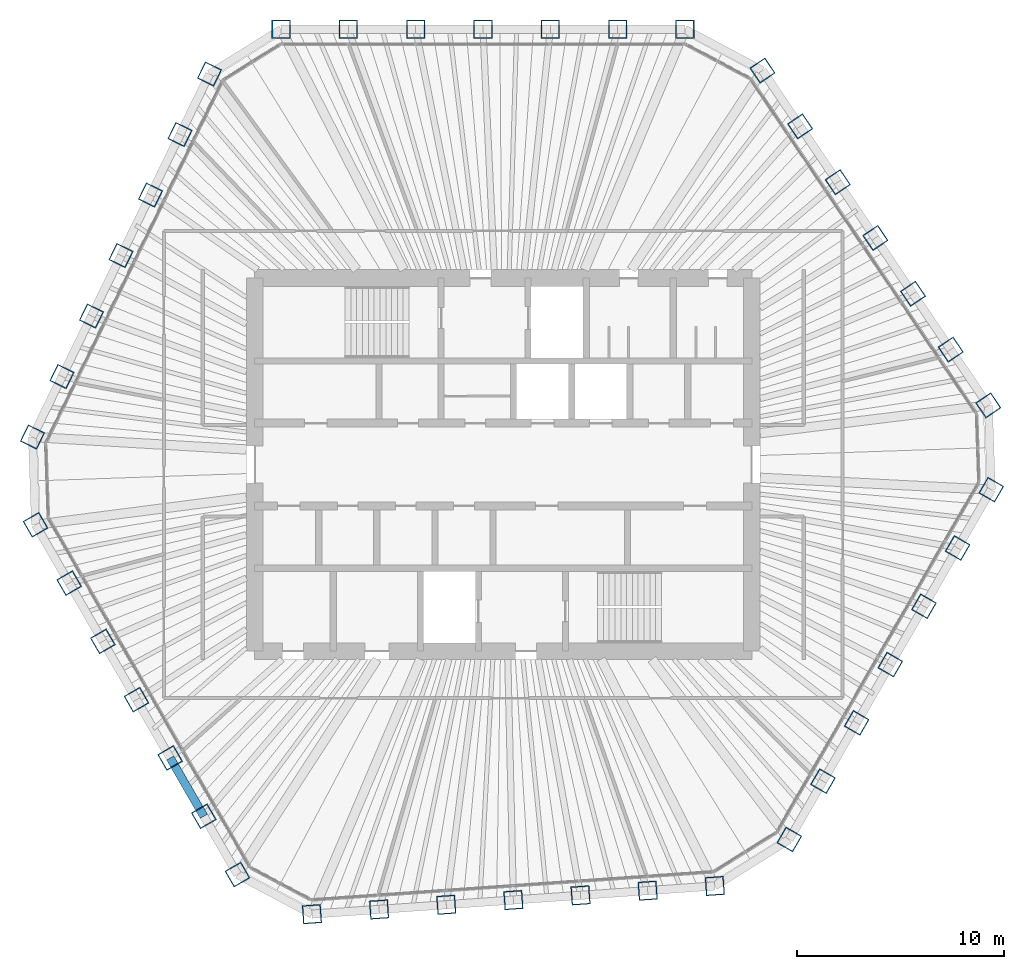
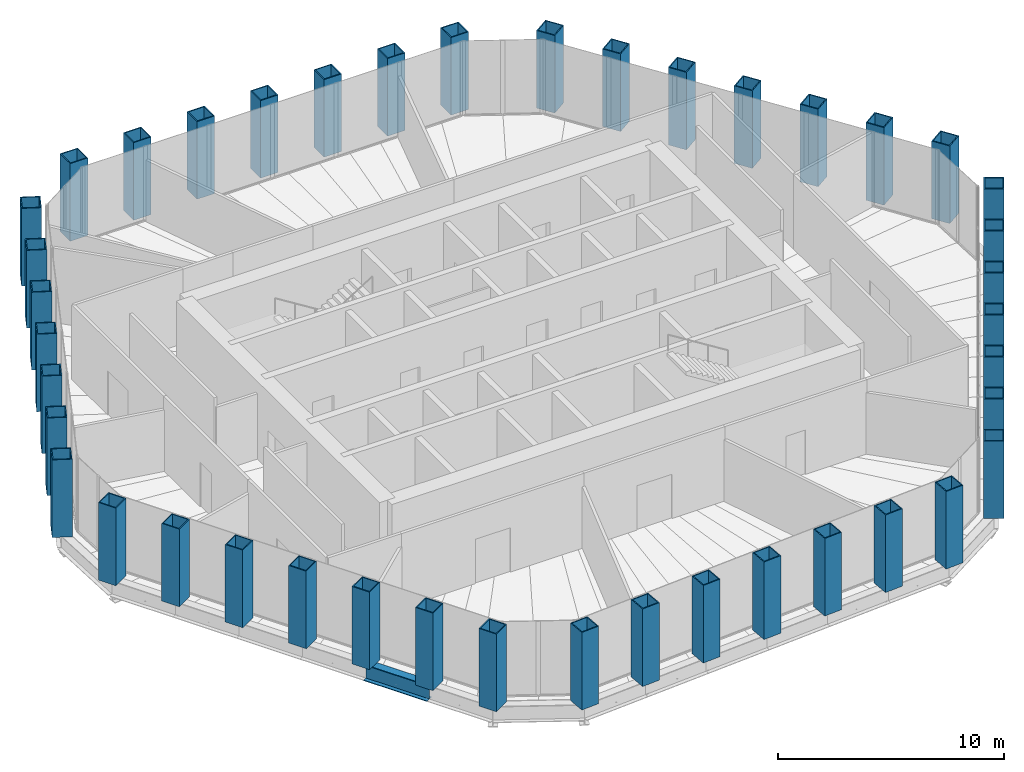
# One storey, part 1 of 14: 42 columns, 1 beam.
"""IFC4 building model written with IfcOpenShell, lengths in metres."""

from ifc_helpers import new_model, si_unit, direction, frame, origin, origin_2d, place, context, subcontext, project, spatial, hollow_rectangle, i_section, extrude, material, material_profile, profile_set, type_object, element, save


model = new_model("IFC4")

# Units and contexts
model_context = context("Model", 3, precision=1e-05, world=origin(), true_north=direction((0.0, 1.0)))
body_context = subcontext(model_context, "Body", "Model", "MODEL_VIEW")
ifc_project = project(units=[si_unit("LENGTHUNIT", "METRE"), si_unit("AREAUNIT", "SQUARE_METRE"), si_unit("VOLUMEUNIT", "CUBIC_METRE"), si_unit("PLANEANGLEUNIT", "RADIAN"), si_unit("MASSUNIT", "GRAM", prefix="KILO")], contexts=[model_context])

# Site, building, storey
site_placement = place(None, origin())
site = spatial("IfcSite", under=ifc_project, at=site_placement, CompositionType="ELEMENT")
building_placement = place(site_placement, origin())
building = spatial("IfcBuilding", under=site, at=building_placement, Name="Qingtian Harvest Tower", CompositionType="ELEMENT")
storey_placement = place(building_placement, frame((0.0, 0.0, 320.800048828125)))
storey = spatial("IfcBuildingStorey", under=building, at=storey_placement, Name="L71", CompositionType="ELEMENT", Elevation=320.800048828125)

# Columns
ifc_material_1 = material(Name="Steel SM570MC", Category="steel")
ifc_material_profile_1 = material_profile(ifc_material_1, hollow_rectangle(XDim=0.89990234375, YDim=0.89990234375, WallThickness=0.050048828125, at=origin_2d()), Name="BOX900x900x50")
ifc_profile_set_1 = profile_set([ifc_material_profile_1], Name="Steel SM570MC")
column_type = type_object("IfcColumnType", Name="Tube column TC8 BOX900x900x50", PredefinedType="COLUMN", material=ifc_profile_set_1)
for number, where, z_axis, x_axis, name in (
    (1, (-10.72216796875, 21.0, 0.0), (0.0, 0.0, 1.0), (-1.0, 0.0, 0.0), "Tube column TC8 N0"),
    (2, (-7.47412109375, 21.0, 0.0), (0.0, 0.0, 1.0), (-1.0, 0.0, 0.0), "Tube column TC8 N1"),
    (3, (-4.226318359375, 21.0, 0.0), (0.0, 0.0, 1.0), (-1.0, 0.0, 0.0), "Tube column TC8 N2"),
    (4, (-0.978271484375, 21.0, 0.0), (0.0, 0.0, 1.0), (-1.0, 0.0, 0.0), "Tube column TC8 N3"),
    (5, (2.269775390625, 21.0, 0.0), (0.0, 0.0, 1.0), (-1.0, 0.0, 0.0), "Tube column TC8 N4"),
    (6, (5.517822265625, 21.0, 0.0), (0.0, 0.0, 1.0), (-1.0, 0.0, 0.0), "Tube column TC8 N5"),
    (7, (8.765869140625, 21.0, 0.0), (0.0, 0.0, 1.0), (-1.0, 0.0, 0.0), "Tube column TC8 N6"),
    (8, (12.508056640625, 19.01025390625, 0.0), (0.0, 0.0, 1.0), (-0.559192903471, 0.829037572555, 0.0), "Tube column TC8 NE0"),
    (9, (14.32421875, 16.317626953125, 0.0), (0.0, 0.0, 1.0), (-0.559192903471, 0.829037572555, 0.0), "Tube column TC8 NE1"),
    (10, (16.140625, 13.624755859375, 0.0), (0.0, 0.0, 1.0), (-0.559192903471, 0.829037572555, 0.0), "Tube column TC8 NE2"),
    (11, (17.956787109375, 10.93212890625, 0.0), (0.0, 0.0, 1.0), (-0.559192903471, 0.829037572555, 0.0), "Tube column TC8 NE3"),
    (12, (19.77294921875, 8.2392578125, 0.0), (0.0, 0.0, 1.0), (-0.559192903471, 0.829037572555, 0.0), "Tube column TC8 NE4"),
    (13, (21.58935546875, 5.546630859375, 0.0), (0.0, 0.0, 1.0), (-0.559192903471, 0.829037572555, 0.0), "Tube column TC8 NE5"),
    (14, (23.405517578125, 2.85400390625, 0.0), (0.0, 0.0, 1.0), (-0.559192903471, 0.829037572555, 0.0), "Tube column TC8 NE6"),
    (15, (23.547607421875, -1.21435546875, 0.0), (0.0, 0.0, 1.0), (0.5, 0.866025403784, 0.0), "Tube column TC8 SE0"),
    (16, (21.923583984375, -4.027099609375, 0.0), (0.0, 0.0, 1.0), (0.5, 0.866025403784, 0.0), "Tube column TC8 SE1"),
    (17, (20.299560546875, -6.840087890625, 0.0), (0.0, 0.0, 1.0), (0.5, 0.866025403784, 0.0), "Tube column TC8 SE2"),
    (18, (18.675537109375, -9.65283203125, 0.0), (0.0, 0.0, 1.0), (0.5, 0.866025403784, 0.0), "Tube column TC8 SE3"),
    (19, (17.051513671875, -12.4658203125, 0.0), (0.0, 0.0, 1.0), (0.5, 0.866025403784, 0.0), "Tube column TC8 SE4"),
    (20, (15.427490234375, -15.278564453125, 0.0), (0.0, 0.0, 1.0), (0.5, 0.866025403784, 0.0), "Tube column TC8 SE5"),
    (21, (13.803466796875, -18.091552734375, 0.0), (0.0, 0.0, 1.0), (0.5, 0.866025403784, 0.0), "Tube column TC8 SE6"),
    (22, (10.20947265625, -20.33740234375, 0.0), (0.0, 0.0, 1.0), (0.99756405026, 0.069756473744, 0.0), "Tube column TC8 S0"),
    (23, (6.96923828125, -20.56396484375, 0.0), (0.0, 0.0, 1.0), (0.99756405026, 0.069756473744, 0.0), "Tube column TC8 S1"),
    (24, (3.729248046875, -20.79052734375, 0.0), (0.0, 0.0, 1.0), (0.99756405026, 0.069756473744, 0.0), "Tube column TC8 S2"),
    (25, (0.489013671875, -21.01708984375, 0.0), (0.0, 0.0, 1.0), (0.99756405026, 0.069756473744, 0.0), "Tube column TC8 S3"),
    (26, (-2.7509765625, -21.24365234375, 0.0), (0.0, 0.0, 1.0), (0.99756405026, 0.069756473744, 0.0), "Tube column TC8 S4"),
    (27, (-5.9912109375, -21.47021484375, 0.0), (0.0, 0.0, 1.0), (0.99756405026, 0.069756473744, 0.0), "Tube column TC8 S5"),
    (28, (-9.231201171875, -21.69677734375, 0.0), (0.0, 0.0, 1.0), (0.99756405026, 0.069756473744, 0.0), "Tube column TC8 S6"),
    (29, (-12.825439453125, -19.78564453125, 0.0), (0.0, 0.0, 1.0), (0.5, -0.866025403784, 0.0), "Tube column TC8 SW0"),
    (30, (-14.449462890625, -16.972900390625, 0.0), (0.0, 0.0, 1.0), (0.5, -0.866025403784, 0.0), "Tube column TC8 SW1"),
    (31, (-16.073486328125, -14.159912109375, 0.0), (0.0, 0.0, 1.0), (0.5, -0.866025403784, 0.0), "Tube column TC8 SW2"),
    (32, (-17.697509765625, -11.34716796875, 0.0), (0.0, 0.0, 1.0), (0.5, -0.866025403784, 0.0), "Tube column TC8 SW3"),
    (33, (-19.321533203125, -8.5341796875, 0.0), (0.0, 0.0, 1.0), (0.5, -0.866025403784, 0.0), "Tube column TC8 SW4"),
    (34, (-20.945556640625, -5.721435546875, 0.0), (0.0, 0.0, 1.0), (0.5, -0.866025403784, 0.0), "Tube column TC8 SW5"),
    (35, (-22.569580078125, -2.908447265625, 0.0), (0.0, 0.0, 1.0), (0.5, -0.866025403784, 0.0), "Tube column TC8 SW6"),
    (36, (-22.71728515625, 1.3271484375, 0.0), (0.0, 0.0, 1.0), (-0.438371146789, -0.898794046299, 0.0), "Tube column TC8 NW0"),
    (37, (-21.29345703125, 4.246337890625, 0.0), (0.0, 0.0, 1.0), (-0.438371146789, -0.898794046299, 0.0), "Tube column TC8 NW1"),
    (38, (-19.86962890625, 7.165771484375, 0.0), (0.0, 0.0, 1.0), (-0.438371146789, -0.898794046299, 0.0), "Tube column TC8 NW2"),
    (39, (-18.44580078125, 10.0849609375, 0.0), (0.0, 0.0, 1.0), (-0.438371146789, -0.898794046299, 0.0), "Tube column TC8 NW3"),
    (40, (-17.02197265625, 13.00439453125, 0.0), (0.0, 0.0, 1.0), (-0.438371146789, -0.898794046299, 0.0), "Tube column TC8 NW4"),
    (41, (-15.59814453125, 15.923583984375, 0.0), (0.0, 0.0, 1.0), (-0.438371146789, -0.898794046299, 0.0), "Tube column TC8 NW5"),
    (42, (-14.17431640625, 18.8427734375, 0.0), (0.0, 0.0, 1.0), (-0.438371146789, -0.898794046299, 0.0), "Tube column TC8 NW6"),
):
    element("IfcColumn", number, at=place(storey_placement, frame(where, z_axis=z_axis, x_axis=x_axis)), inside=storey, type_object=column_type, Name=name, PredefinedType="COLUMN", context=body_context, shape_type="SweptSolid", body=[
        extrude(hollow_rectangle(XDim=0.89990234375, YDim=0.89990234375, WallThickness=0.050048828125, at=origin_2d()), origin(), (0.0, 0.0, 1.0), 4.199951171875),
    ])

# Beam
ifc_material_2 = material(Name="Steel SN490B", Category="steel")
ifc_material_profile_2 = material_profile(ifc_material_2, i_section(OverallWidth=0.39990234375, OverallDepth=0.89990234375, WebThickness=0.01904296875, FlangeThickness=0.035888671875, at=origin_2d()), Name="H900x400x19x36")
ifc_profile_set_2 = profile_set([ifc_material_profile_2], Name="Steel SN490B")
beam_type = type_object("IfcBeamType", Name="Spandrel beam SB4 H900x400x19x36", PredefinedType="SPANDREL", material=ifc_profile_set_2)
beam_placement = place(storey_placement, frame((-14.449462890625, -16.972900390625, -0.449951171875), z_axis=(-0.499987045439, 0.866032882975, 0.0), x_axis=(-0.866032882975, -0.499987045439, 0.0)))
element("IfcBeam", 43, at=beam_placement, inside=storey, type_object=beam_type, Name="Spandrel SB4 SW1", PredefinedType="SPANDREL", context=body_context, shape_type="SweptSolid", body=[
    extrude(i_section(OverallWidth=0.39990234375, OverallDepth=0.89990234375, WebThickness=0.01904296875, FlangeThickness=0.035888671875, at=origin_2d()), origin(), (0.0, 0.0, 1.0), 3.248046875),
])

save(model, "model.ifc")
